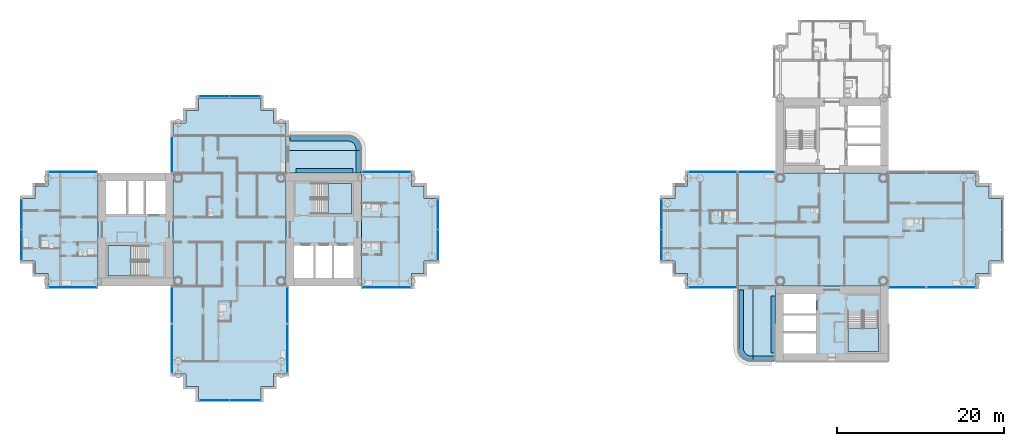
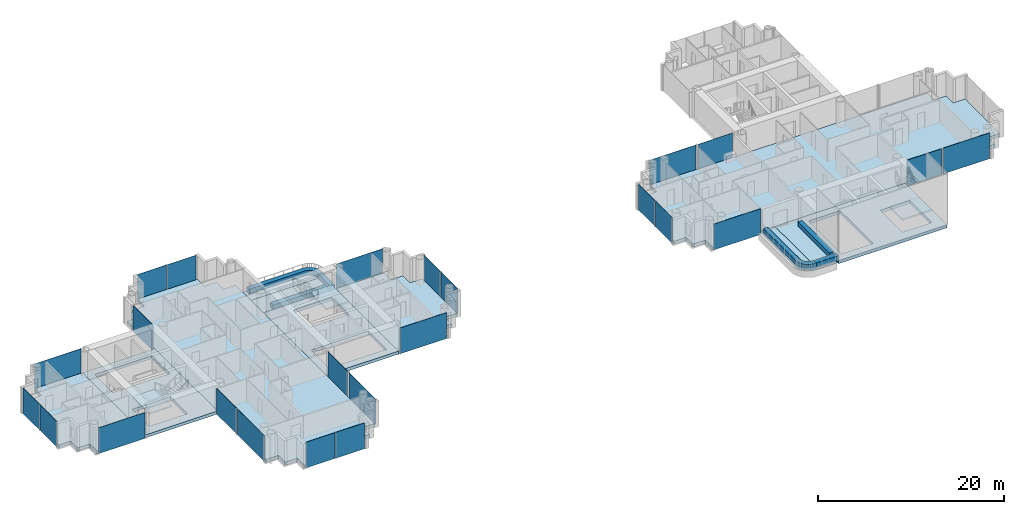
# One storey, part 7 of 22: 24 plates, 20 slabs, 22 elements without a shape of their own.
"""IFC4 building model written with IfcOpenShell, lengths in metres."""

from ifc_helpers import new_model, si_unit, direction, frame, origin, origin_2d, place, context, subcontext, project, spatial, polyline, rectangle, outline, extrude, material, layer, layer_set, type_object, element, aggregate, save


model = new_model("IFC4")

# Units and contexts
model_context = context("Model", 3, precision=1e-05, world=origin(), true_north=direction((0.0, 1.0)))
body_context = subcontext(model_context, "Body", "Model", "MODEL_VIEW")
ifc_project = project(units=[si_unit("LENGTHUNIT", "METRE"), si_unit("AREAUNIT", "SQUARE_METRE"), si_unit("VOLUMEUNIT", "CUBIC_METRE"), si_unit("PLANEANGLEUNIT", "RADIAN"), si_unit("MASSUNIT", "GRAM", prefix="KILO")], contexts=[model_context])

# Site, building, storey
site_placement = place(None, origin())
site = spatial("IfcSite", under=ifc_project, at=site_placement, CompositionType="ELEMENT")
building_placement = place(site_placement, origin())
building = spatial("IfcBuilding", under=site, at=building_placement, Name="Ipe Terrace Towers", CompositionType="ELEMENT")
storey_placement = place(building_placement, frame((0.0, 0.0, 110.60009765625)))
storey = spatial("IfcBuildingStorey", under=building, at=storey_placement, Name="L30", CompositionType="ELEMENT", Elevation=110.60009765625)

# Slabs
ifc_material_1 = material(Name="Concrete C30/37", Category="concrete")
ifc_layer_1 = layer(ifc_material_1, 0.199951171875)
ifc_layer_set_1 = layer_set([ifc_layer_1], Name="BALCONY SLAB 200")
slab_type_1 = type_object("IfcSlabType", Name="BALCONY SLAB 200", PredefinedType="FLOOR", material=ifc_layer_set_1)
slab_1_placement = place(storey_placement, frame((0.0, 0.0, -0.22021484375)))
element("IfcSlab", 1, at=slab_1_placement, inside=storey, type_object=slab_type_1, Name="balcony slab", PredefinedType="FLOOR", context=body_context, shape_type="SweptSolid", body=[
    extrude(outline(polyline([(-20.25, 6.75), (-20.25, 9.449951171875), (-29.25, 9.449951171875), (-29.25, 6.75), (-20.25, 6.75)])), origin(), (0.0, 0.0, 1.0), 0.2001953125),
])
slab_2_placement = place(storey_placement, frame((0.0, 0.0, -0.22021484375)))
element("IfcSlab", 2, at=slab_2_placement, inside=storey, type_object=slab_type_1, Name="balcony slab", PredefinedType="FLOOR", context=body_context, shape_type="SweptSolid", body=[
    extrude(outline(polyline([(-29.25, 11.25), (-29.25, 9.449951171875), (-20.25, 9.449951171875), (-20.25, 9.64990234375), (-20.263916015625, 9.85888671875), (-20.304931640625, 10.06396484375), (-20.3720703125, 10.261962890625), (-20.464111328125, 10.449951171875), (-20.5810546875, 10.6240234375), (-20.718994140625, 10.781005859375), (-20.8759765625, 10.9189453125), (-21.050048828125, 11.035888671875), (-21.238037109375, 11.1279296875), (-21.43603515625, 11.195068359375), (-21.64111328125, 11.236083984375), (-21.85009765625, 11.25), (-29.25, 11.25)])), origin(), (0.0, 0.0, 1.0), 0.2001953125),
])
slab_3_placement = place(storey_placement, frame((0.0, 0.0, -0.22021484375)))
element("IfcSlab", 3, at=slab_3_placement, inside=storey, type_object=slab_type_1, Name="balcony slab", PredefinedType="FLOOR", context=body_context, shape_type="SweptSolid", body=[
    extrude(outline(polyline([(29.25, -15.75), (29.25, -6.75), (26.550048828125, -6.75), (26.550048828125, -15.75), (29.25, -15.75)])), origin(), (0.0, 0.0, 1.0), 0.2001953125),
])
slab_4_placement = place(storey_placement, frame((0.0, 0.0, -0.22021484375)))
element("IfcSlab", 4, at=slab_4_placement, inside=storey, type_object=slab_type_1, Name="balcony slab", PredefinedType="FLOOR", context=body_context, shape_type="SweptSolid", body=[
    extrude(outline(polyline([(24.75, -6.75), (24.75, -14.14990234375), (24.763916015625, -14.35888671875), (24.804931640625, -14.56396484375), (24.8720703125, -14.761962890625), (24.964111328125, -14.949951171875), (25.0810546875, -15.1240234375), (25.218994140625, -15.281005859375), (25.3759765625, -15.4189453125), (25.550048828125, -15.535888671875), (25.738037109375, -15.6279296875), (25.93603515625, -15.695068359375), (26.14111328125, -15.736083984375), (26.35009765625, -15.75), (26.550048828125, -15.75), (26.550048828125, -6.75), (24.75, -6.75)])), origin(), (0.0, 0.0, 1.0), 0.2001953125),
])
ifc_material_2 = material(Name="Concrete C30/37", Category="concrete")
ifc_layer_2 = layer(ifc_material_2, 0.39990234375)
ifc_layer_set_2 = layer_set([ifc_layer_2], Name="CORE FLOOR SLAB 400 C30-37")
slab_type_2 = type_object("IfcSlabType", Name="CORE FLOOR SLAB 400 C30-37", PredefinedType="FLOOR", material=ifc_layer_set_2)
slab_5_placement = place(storey_placement, frame((0.0, 0.0, -0.400146484375)))
element("IfcSlab", 5, at=slab_5_placement, inside=storey, type_object=slab_type_2, Name="Core floor T1-C1", PredefinedType="FLOOR", context=body_context, shape_type="SweptSolid", body=[
    extrude(outline(polyline([(-29.25, -6.75), (-29.25, 6.75), (-20.25, 6.75), (-20.25, -6.75), (-29.25, -6.75)]), holes=[polyline([(-28.300048828125, -5.800048828125), (-21.199951171875, -5.800048828125), (-21.199951171875, -1.89990234375), (-28.300048828125, -1.89990234375), (-28.300048828125, -5.800048828125)]), polyline([(-26.199951171875, 5.550048828125), (-26.199951171875, 1.89990234375), (-21.449951171875, 1.89990234375), (-21.449951171875, 5.550048828125), (-26.199951171875, 5.550048828125)])]), origin(), (0.0, 0.0, 1.0), 0.400146484375),
])
slab_6_placement = place(storey_placement, frame((0.0, 0.0, -0.400146484375)))
element("IfcSlab", 6, at=slab_6_placement, inside=storey, type_object=slab_type_2, Name="Core floor T1-C2", PredefinedType="FLOOR", context=body_context, shape_type="SweptSolid", body=[
    extrude(outline(polyline([(-51.75, -6.75), (-51.75, 6.75), (-42.75, 6.75), (-42.75, -6.75), (-51.75, -6.75)]), holes=[polyline([(-45.800048828125, -5.550048828125), (-45.800048828125, -1.89990234375), (-50.550048828125, -1.89990234375), (-50.550048828125, -5.550048828125), (-45.800048828125, -5.550048828125)]), polyline([(-50.800048828125, 1.89990234375), (-43.699951171875, 1.89990234375), (-43.699951171875, 5.800048828125), (-50.800048828125, 5.800048828125), (-50.800048828125, 1.89990234375)])]), origin(), (0.0, 0.0, 1.0), 0.400146484375),
])
slab_7_placement = place(storey_placement, frame((0.0, 0.0, -0.400146484375)))
element("IfcSlab", 7, at=slab_7_placement, inside=storey, type_object=slab_type_2, Name="Core floor T2-C2", PredefinedType="FLOOR", context=body_context, shape_type="SweptSolid", body=[
    extrude(outline(polyline([(29.25, -15.75), (29.25, -6.75), (42.75, -6.75), (42.75, -15.75), (29.25, -15.75)]), holes=[polyline([(34.10009765625, -14.800048828125), (34.10009765625, -7.699951171875), (30.199951171875, -7.699951171875), (30.199951171875, -14.800048828125), (34.10009765625, -14.800048828125)]), polyline([(41.550048828125, -9.800048828125), (37.89990234375, -9.800048828125), (37.89990234375, -14.550048828125), (41.550048828125, -14.550048828125), (41.550048828125, -9.800048828125)])]), origin(), (0.0, 0.0, 1.0), 0.400146484375),
])

# Stair, slab
ifc_material_3 = material(Name="Concrete C30/37", Category="concrete")
stair_type = type_object("IfcStairType", Name="Protected exit stair", PredefinedType="HALF_TURN_STAIR", material=ifc_material_3)
stair_1_placement = place(storey_placement, origin())
stair_1 = element("IfcStair", 8, at=stair_1_placement, inside=storey, type_object=stair_type, Name="L30 Exit stair T1-C1", PredefinedType="HALF_TURN_STAIR")
ifc_material_4 = material(Name="Concrete C30/37", Category="concrete")
ifc_layer_3 = layer(ifc_material_4, 0.199951171875)
ifc_layer_set_3 = layer_set([ifc_layer_3], Name="Exit stair landing 200")
slab_type_3 = type_object("IfcSlabType", Name="Exit stair landing 200", PredefinedType="LANDING", material=ifc_layer_set_3)
slab_8_placement = place(storey_placement, frame((0.0, 0.0, 1.5)))
slab_8 = element("IfcSlab", 9, at=slab_8_placement, type_object=slab_type_3, Name="T1-ST1 landing 1", PredefinedType="LANDING", context=body_context, shape_type="SweptSolid", body=[
    extrude(outline(polyline([(-24.219970703125, 1.89990234375), (-21.449951171875, 1.89990234375), (-21.449951171875, 5.550048828125), (-24.219970703125, 5.550048828125), (-24.219970703125, 1.89990234375)])), origin(), (0.0, 0.0, 1.0), 0.199951171875),
])
aggregate(stair_1, [slab_8])

stair_2_placement = place(storey_placement, origin())
stair_2 = element("IfcStair", 10, at=stair_2_placement, inside=storey, type_object=stair_type, Name="L30 Exit stair T1-C2", PredefinedType="HALF_TURN_STAIR")
slab_9_placement = place(storey_placement, frame((0.0, 0.0, 1.5)))
slab_9 = element("IfcSlab", 11, at=slab_9_placement, type_object=slab_type_3, Name="T1-ST2 landing 1", PredefinedType="LANDING", context=body_context, shape_type="SweptSolid", body=[
    extrude(outline(polyline([(-47.780029296875, -1.89990234375), (-50.550048828125, -1.89990234375), (-50.550048828125, -5.550048828125), (-47.780029296875, -5.550048828125), (-47.780029296875, -1.89990234375)])), origin(), (0.0, 0.0, 1.0), 0.199951171875),
])
aggregate(stair_2, [slab_9])

stair_3_placement = place(storey_placement, origin())
stair_3 = element("IfcStair", 12, at=stair_3_placement, inside=storey, type_object=stair_type, Name="L30 Exit stair T2-C2", PredefinedType="HALF_TURN_STAIR")
slab_10_placement = place(storey_placement, frame((0.0, 0.0, 1.5)))
slab_10 = element("IfcSlab", 13, at=slab_10_placement, type_object=slab_type_3, Name="T2-ST2 landing 1", PredefinedType="LANDING", context=body_context, shape_type="SweptSolid", body=[
    extrude(outline(polyline([(37.89990234375, -11.780029296875), (37.89990234375, -14.550048828125), (41.550048828125, -14.550048828125), (41.550048828125, -11.780029296875), (37.89990234375, -11.780029296875)])), origin(), (0.0, 0.0, 1.0), 0.199951171875),
])
aggregate(stair_3, [slab_10])

# Slabs
ifc_material_5 = material(Name="Concrete C40/50", Category="concrete")
ifc_layer_4 = layer(ifc_material_5, 0.39990234375)
ifc_layer_set_4 = layer_set([ifc_layer_4], Name="FLAT PLATE SLAB 400 C40-50")
slab_type_4 = type_object("IfcSlabType", Name="FLAT PLATE SLAB 400 C40-50", PredefinedType="FLOOR", material=ifc_layer_set_4)
slab_11_placement = place(storey_placement, frame((0.0, 0.0, -0.400146484375)))
element("IfcSlab", 14, at=slab_11_placement, inside=storey, type_object=slab_type_4, Name="Slab T1-FS-Z21", PredefinedType="FLOOR", context=body_context, shape_type="SweptSolid", body=[
    extrude(outline(polyline([(-30.75, -17.25), (-30.75, -18.75), (-32.25, -18.75), (-32.25, -20.25), (-39.75, -20.25), (-39.75, -18.75), (-41.25, -18.75), (-41.25, -17.25), (-42.75, -17.25), (-42.75, -6.75), (-42.75, 6.75), (-42.75, 12.75), (-41.25, 12.75), (-41.25, 14.25), (-39.75, 14.25), (-39.75, 15.75), (-32.25, 15.75), (-32.25, 14.25), (-30.75, 14.25), (-30.75, 12.75), (-29.25, 12.75), (-29.25, 6.75), (-29.25, -6.75), (-29.25, -17.25), (-30.75, -17.25)])), origin(), (0.0, 0.0, 1.0), 0.400146484375),
])
slab_12_placement = place(storey_placement, frame((0.0, 0.0, -0.400146484375)))
element("IfcSlab", 15, at=slab_12_placement, inside=storey, type_object=slab_type_4, Name="Slab T1-FS-Z22", PredefinedType="FLOOR", context=body_context, shape_type="SweptSolid", body=[
    extrude(outline(polyline([(-57.75, -6.75), (-57.75, -5.25), (-59.25, -5.25), (-59.25, -3.75), (-60.75, -3.75), (-60.75, 3.75), (-59.25, 3.75), (-59.25, 5.25), (-57.75, 5.25), (-57.75, 6.75), (-51.75, 6.75), (-51.75, -6.75), (-57.75, -6.75)])), origin(), (0.0, 0.0, 1.0), 0.400146484375),
])
slab_13_placement = place(storey_placement, frame((0.0, 0.0, -0.400146484375)))
element("IfcSlab", 16, at=slab_13_placement, inside=storey, type_object=slab_type_4, Name="Slab T1-FS-Z23", PredefinedType="FLOOR", context=body_context, shape_type="SweptSolid", body=[
    extrude(outline(polyline([(-14.25, 5.25), (-12.75, 5.25), (-12.75, 3.75), (-11.25, 3.75), (-11.25, -3.75), (-12.75, -3.75), (-12.75, -5.25), (-14.25, -5.25), (-14.25, -6.75), (-20.25, -6.75), (-20.25, 6.75), (-14.25, 6.75), (-14.25, 5.25)])), origin(), (0.0, 0.0, 1.0), 0.400146484375),
])
slab_14_placement = place(storey_placement, frame((0.0, 0.0, -0.400146484375)))
element("IfcSlab", 17, at=slab_14_placement, inside=storey, type_object=slab_type_4, Name="Slab T2-FS-Z21", PredefinedType="FLOOR", context=body_context, shape_type="SweptSolid", body=[
    extrude(outline(polyline([(53.25, 5.25), (54.75, 5.25), (54.75, 3.75), (56.25, 3.75), (56.25, -3.75), (54.75, -3.75), (54.75, -5.25), (53.25, -5.25), (53.25, -6.75), (42.75, -6.75), (29.25, -6.75), (18.75, -6.75), (18.75, -5.25), (17.25, -5.25), (17.25, -3.75), (15.75, -3.75), (15.75, 3.75), (17.25, 3.75), (17.25, 5.25), (18.75, 5.25), (18.75, 6.75), (29.25, 6.75), (42.75, 6.75), (53.25, 6.75), (53.25, 5.25)])), origin(), (0.0, 0.0, 1.0), 0.400146484375),
])
ifc_material_6 = material(Name="Concrete C30/37", Category="concrete")
ifc_layer_5 = layer(ifc_material_6, 0.60009765625)
ifc_layer_set_5 = layer_set([ifc_layer_5], Name="PLANTER TROUGH 550 x 600")
slab_type_5 = type_object("IfcSlabType", Name="PLANTER TROUGH 550 x 600", PredefinedType="USERDEFINED", material=ifc_layer_set_5)
slab_15_placement = place(storey_placement, frame((0.0, 0.0, -0.02001953125)))
element("IfcSlab", 18, at=slab_15_placement, inside=storey, type_object=slab_type_5, Name="planter", ObjectType="PLANTER", PredefinedType="USERDEFINED", context=body_context, shape_type="SweptSolid", body=[
    extrude(outline(polyline([(-20.360107421875, 6.75), (-20.360107421875, 9.449951171875), (-20.909912109375, 9.449951171875), (-20.909912109375, 6.75), (-20.360107421875, 6.75)])), origin(), (0.0, 0.0, 1.0), 0.599853515625),
])
slab_16_placement = place(storey_placement, frame((0.0, 0.0, -0.02001953125)))
element("IfcSlab", 19, at=slab_16_placement, inside=storey, type_object=slab_type_5, Name="planter", ObjectType="PLANTER", PredefinedType="USERDEFINED", context=body_context, shape_type="SweptSolid", body=[
    extrude(outline(polyline([(-20.943115234375, 9.89306640625), (-20.9189453125, 9.77294921875), (-20.909912109375, 9.6279296875), (-20.909912109375, 9.449951171875), (-20.360107421875, 9.449951171875), (-20.360107421875, 9.636962890625), (-20.361083984375, 9.655029296875), (-20.3720703125, 9.825927734375), (-20.3759765625, 9.862060546875), (-20.406982421875, 10.01806640625), (-20.4169921875, 10.052978515625), (-20.468017578125, 10.202880859375), (-20.48193359375, 10.236083984375), (-20.552001953125, 10.37890625), (-20.570068359375, 10.409912109375), (-20.657958984375, 10.5419921875), (-20.679931640625, 10.570068359375), (-20.784912109375, 10.68994140625), (-20.81005859375, 10.715087890625), (-20.929931640625, 10.820068359375), (-20.9580078125, 10.842041015625), (-21.090087890625, 10.929931640625), (-21.12109375, 10.947998046875), (-21.263916015625, 11.01806640625), (-21.297119140625, 11.031982421875), (-21.447021484375, 11.0830078125), (-21.48193359375, 11.093017578125), (-21.637939453125, 11.1240234375), (-21.674072265625, 11.1279296875), (-21.844970703125, 11.138916015625), (-21.863037109375, 11.139892578125), (-28.800048828125, 11.139892578125), (-28.800048828125, 10.590087890625), (-21.8720703125, 10.590087890625), (-21.72705078125, 10.5810546875), (-21.60693359375, 10.556884765625), (-21.490966796875, 10.51708984375), (-21.381103515625, 10.462890625), (-21.279052734375, 10.39501953125), (-21.18603515625, 10.31396484375), (-21.10498046875, 10.220947265625), (-21.037109375, 10.118896484375), (-20.98291015625, 10.009033203125), (-20.943115234375, 9.89306640625)])), origin(), (0.0, 0.0, 1.0), 0.599853515625),
])
slab_17_placement = place(storey_placement, frame((0.0, 0.0, -0.02001953125)))
element("IfcSlab", 20, at=slab_17_placement, inside=storey, type_object=slab_type_5, Name="planter", ObjectType="PLANTER", PredefinedType="USERDEFINED", context=body_context, shape_type="SweptSolid", body=[
    extrude(outline(polyline([(-28.050048828125, 6.75), (-21.25, 6.75), (-21.25, 7.300048828125), (-28.050048828125, 7.300048828125), (-28.050048828125, 6.75)])), origin(), (0.0, 0.0, 1.0), 0.599853515625),
])
slab_18_placement = place(storey_placement, frame((0.0, 0.0, -0.02001953125)))
element("IfcSlab", 21, at=slab_18_placement, inside=storey, type_object=slab_type_5, Name="planter", ObjectType="PLANTER", PredefinedType="USERDEFINED", context=body_context, shape_type="SweptSolid", body=[
    extrude(outline(polyline([(29.25, -15.639892578125), (29.25, -15.090087890625), (26.550048828125, -15.090087890625), (26.550048828125, -15.639892578125), (29.25, -15.639892578125)])), origin(), (0.0, 0.0, 1.0), 0.599853515625),
])
slab_19_placement = place(storey_placement, frame((0.0, 0.0, -0.02001953125)))
element("IfcSlab", 22, at=slab_19_placement, inside=storey, type_object=slab_type_5, Name="planter", ObjectType="PLANTER", PredefinedType="USERDEFINED", context=body_context, shape_type="SweptSolid", body=[
    extrude(outline(polyline([(26.10693359375, -15.056884765625), (25.990966796875, -15.01708984375), (25.881103515625, -14.962890625), (25.779052734375, -14.89501953125), (25.68603515625, -14.81396484375), (25.60498046875, -14.720947265625), (25.537109375, -14.618896484375), (25.48291015625, -14.509033203125), (25.443115234375, -14.39306640625), (25.4189453125, -14.27294921875), (25.409912109375, -14.1279296875), (25.409912109375, -7.199951171875), (24.860107421875, -7.199951171875), (24.860107421875, -14.136962890625), (24.861083984375, -14.155029296875), (24.8720703125, -14.325927734375), (24.8759765625, -14.362060546875), (24.906982421875, -14.51806640625), (24.9169921875, -14.552978515625), (24.968017578125, -14.702880859375), (24.98193359375, -14.736083984375), (25.052001953125, -14.87890625), (25.070068359375, -14.909912109375), (25.157958984375, -15.0419921875), (25.179931640625, -15.070068359375), (25.284912109375, -15.18994140625), (25.31005859375, -15.215087890625), (25.429931640625, -15.320068359375), (25.4580078125, -15.342041015625), (25.590087890625, -15.429931640625), (25.62109375, -15.447998046875), (25.763916015625, -15.51806640625), (25.797119140625, -15.531982421875), (25.947021484375, -15.5830078125), (25.98193359375, -15.593017578125), (26.137939453125, -15.6240234375), (26.174072265625, -15.6279296875), (26.344970703125, -15.638916015625), (26.363037109375, -15.639892578125), (26.550048828125, -15.639892578125), (26.550048828125, -15.090087890625), (26.3720703125, -15.090087890625), (26.22705078125, -15.0810546875), (26.10693359375, -15.056884765625)])), origin(), (0.0, 0.0, 1.0), 0.599853515625),
])
slab_20_placement = place(storey_placement, frame((0.0, 0.0, -0.02001953125)))
element("IfcSlab", 23, at=slab_20_placement, inside=storey, type_object=slab_type_5, Name="planter", ObjectType="PLANTER", PredefinedType="USERDEFINED", context=body_context, shape_type="SweptSolid", body=[
    extrude(outline(polyline([(29.25, -7.949951171875), (28.699951171875, -7.949951171875), (28.699951171875, -14.75), (29.25, -14.75), (29.25, -7.949951171875)])), origin(), (0.0, 0.0, 1.0), 0.599853515625),
])

# Curtain wall, plate
ifc_material_7 = material(Name="Aluminium alloy 6063-T6", Category="aluminium")
ifc_layer_6 = layer(ifc_material_7, 0.320068359375)
ifc_layer_set_6 = layer_set([ifc_layer_6], Name="TOWER UNITISED CURTAIN WALL")
curtain_wall_type = type_object("IfcCurtainWallType", Name="TOWER UNITISED CURTAIN WALL", PredefinedType="NOTDEFINED", material=ifc_layer_set_6)
curtain_wall_1_placement = place(storey_placement, origin())
curtain_wall_1 = element("IfcCurtainWall", 24, at=curtain_wall_1_placement, inside=storey, type_object=curtain_wall_type, Name="T1-CW-L30-04a curtain wall", PredefinedType="NOTDEFINED")
ifc_material_8 = material(Name="Glass, clear laminated", Category="glass")
ifc_layer_7 = layer(ifc_material_8, 0.031982421875)
ifc_layer_set_7 = layer_set([ifc_layer_7], Name="TOWER UNITISED GLASS PANEL 32")
plate_type = type_object("IfcPlateType", Name="TOWER UNITISED GLASS PANEL 32", PredefinedType="CURTAIN_PANEL", material=ifc_layer_set_7)
plate_1_placement = place(storey_placement, frame((-54.75048828125, -6.909912109375, -0.300048828125), z_axis=(0.0, 0.0, 1.0), x_axis=(1.0, 0.0, 0.0)))
plate_1 = element("IfcPlate", 25, at=plate_1_placement, type_object=plate_type, Name="T1-CW-L30-04a panel 1", PredefinedType="CURTAIN_PANEL", context=body_context, shape_type="SweptSolid", body=[
    extrude(rectangle(XDim=5.759033203125, YDim=0.031982421875, at=origin_2d()), origin(), (0.0, 0.0, 1.0), 3.39990234375),
])
aggregate(curtain_wall_1, [plate_1])

curtain_wall_2_placement = place(storey_placement, origin())
curtain_wall_2 = element("IfcCurtainWall", 26, at=curtain_wall_2_placement, inside=storey, type_object=curtain_wall_type, Name="T1-CW-L30-06a curtain wall", PredefinedType="NOTDEFINED")
plate_2_placement = place(storey_placement, frame((-42.909912109375, -9.0, -0.300048828125), z_axis=(0.0, 0.0, 1.0), x_axis=(0.0, -1.0, 0.0)))
plate_2 = element("IfcPlate", 27, at=plate_2_placement, type_object=plate_type, Name="T1-CW-L30-06a panel 1", PredefinedType="CURTAIN_PANEL", context=body_context, shape_type="SweptSolid", body=[
    extrude(rectangle(XDim=4.260009765625, YDim=0.031982421875, at=origin_2d()), origin(), (0.0, 0.0, 1.0), 3.39990234375),
])
aggregate(curtain_wall_2, [plate_2])

curtain_wall_3_placement = place(storey_placement, origin())
curtain_wall_3 = element("IfcCurtainWall", 28, at=curtain_wall_3_placement, inside=storey, type_object=curtain_wall_type, Name="T1-CW-L30-07a curtain wall", PredefinedType="NOTDEFINED")
plate_3_placement = place(storey_placement, frame((-42.909912109375, -14.25, -0.300048828125), z_axis=(0.0, 0.0, 1.0), x_axis=(0.0, -1.0, 0.0)))
plate_3 = element("IfcPlate", 29, at=plate_3_placement, type_object=plate_type, Name="T1-CW-L30-07a panel 1", PredefinedType="CURTAIN_PANEL", context=body_context, shape_type="SweptSolid", body=[
    extrude(rectangle(XDim=5.760009765625, YDim=0.031982421875, at=origin_2d()), origin(), (0.0, 0.0, 1.0), 3.39990234375),
])
aggregate(curtain_wall_3, [plate_3])

# Curtain wall, plates
curtain_wall_4_placement = place(storey_placement, origin())
curtain_wall_4 = element("IfcCurtainWall", 30, at=curtain_wall_4_placement, inside=storey, type_object=curtain_wall_type, Name="T1-CW-L30-12a curtain wall", PredefinedType="NOTDEFINED")
plate_4_placement = place(storey_placement, frame((-37.831298828125, -20.409912109375, -0.300048828125), z_axis=(0.0, 0.0, 1.0), x_axis=(1.0, 0.0, 0.0)))
plate_4 = element("IfcPlate", 31, at=plate_4_placement, type_object=plate_type, Name="T1-CW-L30-12a panel 1", PredefinedType="CURTAIN_PANEL", context=body_context, shape_type="SweptSolid", body=[
    extrude(rectangle(XDim=3.597412109375, YDim=0.031982421875, at=origin_2d()), origin(), (0.0, 0.0, 1.0), 3.39990234375),
])
plate_5_placement = place(storey_placement, frame((-34.168701171875, -20.409912109375, -0.300048828125), z_axis=(0.0, 0.0, 1.0), x_axis=(1.0, 0.0, 0.0)))
plate_5 = element("IfcPlate", 32, at=plate_5_placement, type_object=plate_type, Name="T1-CW-L30-12a panel 2", PredefinedType="CURTAIN_PANEL", context=body_context, shape_type="SweptSolid", body=[
    extrude(rectangle(XDim=3.597412109375, YDim=0.031982421875, at=origin_2d()), origin(), (0.0, 0.0, 1.0), 3.39990234375),
])
aggregate(curtain_wall_4, [plate_4, plate_5])

# Curtain wall, plate
curtain_wall_5_placement = place(storey_placement, origin())
curtain_wall_5 = element("IfcCurtainWall", 33, at=curtain_wall_5_placement, inside=storey, type_object=curtain_wall_type, Name="T1-CW-L30-17a curtain wall", PredefinedType="NOTDEFINED")
plate_6_placement = place(storey_placement, frame((-29.090087890625, -14.25, -0.300048828125), z_axis=(0.0, 0.0, 1.0), x_axis=(0.0, 1.0, 0.0)))
plate_6 = element("IfcPlate", 34, at=plate_6_placement, type_object=plate_type, Name="T1-CW-L30-17a panel 1", PredefinedType="CURTAIN_PANEL", context=body_context, shape_type="SweptSolid", body=[
    extrude(rectangle(XDim=5.760009765625, YDim=0.031982421875, at=origin_2d()), origin(), (0.0, 0.0, 1.0), 3.39990234375),
])
aggregate(curtain_wall_5, [plate_6])

curtain_wall_6_placement = place(storey_placement, origin())
curtain_wall_6 = element("IfcCurtainWall", 35, at=curtain_wall_6_placement, inside=storey, type_object=curtain_wall_type, Name="T1-CW-L30-18a curtain wall", PredefinedType="NOTDEFINED")
plate_7_placement = place(storey_placement, frame((-29.090087890625, -9.0, -0.300048828125), z_axis=(0.0, 0.0, 1.0), x_axis=(0.0, 1.0, 0.0)))
plate_7 = element("IfcPlate", 36, at=plate_7_placement, type_object=plate_type, Name="T1-CW-L30-18a panel 1", PredefinedType="CURTAIN_PANEL", context=body_context, shape_type="SweptSolid", body=[
    extrude(rectangle(XDim=4.260009765625, YDim=0.031982421875, at=origin_2d()), origin(), (0.0, 0.0, 1.0), 3.39990234375),
])
aggregate(curtain_wall_6, [plate_7])

curtain_wall_7_placement = place(storey_placement, origin())
curtain_wall_7 = element("IfcCurtainWall", 37, at=curtain_wall_7_placement, inside=storey, type_object=curtain_wall_type, Name="T1-CW-L30-20b curtain wall", PredefinedType="NOTDEFINED")
plate_8_placement = place(storey_placement, frame((-17.24951171875, -6.909912109375, -0.300048828125), z_axis=(0.0, 0.0, 1.0), x_axis=(1.0, 0.0, 0.0)))
plate_8 = element("IfcPlate", 38, at=plate_8_placement, type_object=plate_type, Name="T1-CW-L30-20b panel 1", PredefinedType="CURTAIN_PANEL", context=body_context, shape_type="SweptSolid", body=[
    extrude(rectangle(XDim=5.759033203125, YDim=0.031982421875, at=origin_2d()), origin(), (0.0, 0.0, 1.0), 3.39990234375),
])
aggregate(curtain_wall_7, [plate_8])

# Curtain wall, plates
curtain_wall_8_placement = place(storey_placement, origin())
curtain_wall_8 = element("IfcCurtainWall", 39, at=curtain_wall_8_placement, inside=storey, type_object=curtain_wall_type, Name="T1-CW-L30-25a curtain wall", PredefinedType="NOTDEFINED")
plate_9_placement = place(storey_placement, frame((-11.090087890625, -1.831298828125, -0.300048828125), z_axis=(0.0, 0.0, 1.0), x_axis=(0.0, 1.0, 0.0)))
plate_9 = element("IfcPlate", 40, at=plate_9_placement, type_object=plate_type, Name="T1-CW-L30-25a panel 1", PredefinedType="CURTAIN_PANEL", context=body_context, shape_type="SweptSolid", body=[
    extrude(rectangle(XDim=3.597412109375, YDim=0.031982421875, at=origin_2d()), origin(), (0.0, 0.0, 1.0), 3.39990234375),
])
plate_10_placement = place(storey_placement, frame((-11.090087890625, 1.831298828125, -0.300048828125), z_axis=(0.0, 0.0, 1.0), x_axis=(0.0, 1.0, 0.0)))
plate_10 = element("IfcPlate", 41, at=plate_10_placement, type_object=plate_type, Name="T1-CW-L30-25a panel 2", PredefinedType="CURTAIN_PANEL", context=body_context, shape_type="SweptSolid", body=[
    extrude(rectangle(XDim=3.597412109375, YDim=0.031982421875, at=origin_2d()), origin(), (0.0, 0.0, 1.0), 3.39990234375),
])
aggregate(curtain_wall_8, [plate_9, plate_10])

# Curtain wall, plate
curtain_wall_9_placement = place(storey_placement, origin())
curtain_wall_9 = element("IfcCurtainWall", 42, at=curtain_wall_9_placement, inside=storey, type_object=curtain_wall_type, Name="T1-CW-L30-30a curtain wall", PredefinedType="NOTDEFINED")
plate_11_placement = place(storey_placement, frame((-17.24951171875, 6.909912109375, -0.300048828125), z_axis=(0.0, 0.0, 1.0), x_axis=(-1.0, 0.0, 0.0)))
plate_11 = element("IfcPlate", 43, at=plate_11_placement, type_object=plate_type, Name="T1-CW-L30-30a panel 1", PredefinedType="CURTAIN_PANEL", context=body_context, shape_type="SweptSolid", body=[
    extrude(rectangle(XDim=5.759033203125, YDim=0.031982421875, at=origin_2d()), origin(), (0.0, 0.0, 1.0), 3.39990234375),
])
aggregate(curtain_wall_9, [plate_11])

# Curtain wall, plates
curtain_wall_10_placement = place(storey_placement, origin())
curtain_wall_10 = element("IfcCurtainWall", 44, at=curtain_wall_10_placement, inside=storey, type_object=curtain_wall_type, Name="T1-CW-L30-38a curtain wall", PredefinedType="NOTDEFINED")
plate_12_placement = place(storey_placement, frame((-34.168701171875, 15.909912109375, -0.300048828125), z_axis=(0.0, 0.0, 1.0), x_axis=(-1.0, 0.0, 0.0)))
plate_12 = element("IfcPlate", 45, at=plate_12_placement, type_object=plate_type, Name="T1-CW-L30-38a panel 1", PredefinedType="CURTAIN_PANEL", context=body_context, shape_type="SweptSolid", body=[
    extrude(rectangle(XDim=3.597412109375, YDim=0.031982421875, at=origin_2d()), origin(), (0.0, 0.0, 1.0), 3.39990234375),
])
plate_13_placement = place(storey_placement, frame((-37.831298828125, 15.909912109375, -0.300048828125), z_axis=(0.0, 0.0, 1.0), x_axis=(-1.0, 0.0, 0.0)))
plate_13 = element("IfcPlate", 46, at=plate_13_placement, type_object=plate_type, Name="T1-CW-L30-38a panel 2", PredefinedType="CURTAIN_PANEL", context=body_context, shape_type="SweptSolid", body=[
    extrude(rectangle(XDim=3.597412109375, YDim=0.031982421875, at=origin_2d()), origin(), (0.0, 0.0, 1.0), 3.39990234375),
])
aggregate(curtain_wall_10, [plate_12, plate_13])

# Curtain wall, plate
curtain_wall_11_placement = place(storey_placement, origin())
curtain_wall_11 = element("IfcCurtainWall", 47, at=curtain_wall_11_placement, inside=storey, type_object=curtain_wall_type, Name="T1-CW-L30-44a curtain wall", PredefinedType="NOTDEFINED")
plate_14_placement = place(storey_placement, frame((-42.909912109375, 9.0, -0.300048828125), z_axis=(0.0, 0.0, 1.0), x_axis=(0.0, -1.0, 0.0)))
plate_14 = element("IfcPlate", 48, at=plate_14_placement, type_object=plate_type, Name="T1-CW-L30-44a panel 1", PredefinedType="CURTAIN_PANEL", context=body_context, shape_type="SweptSolid", body=[
    extrude(rectangle(XDim=4.260009765625, YDim=0.031982421875, at=origin_2d()), origin(), (0.0, 0.0, 1.0), 3.39990234375),
])
aggregate(curtain_wall_11, [plate_14])

curtain_wall_12_placement = place(storey_placement, origin())
curtain_wall_12 = element("IfcCurtainWall", 49, at=curtain_wall_12_placement, inside=storey, type_object=curtain_wall_type, Name="T1-CW-L30-46b curtain wall", PredefinedType="NOTDEFINED")
plate_15_placement = place(storey_placement, frame((-54.75048828125, 6.909912109375, -0.300048828125), z_axis=(0.0, 0.0, 1.0), x_axis=(-1.0, 0.0, 0.0)))
plate_15 = element("IfcPlate", 50, at=plate_15_placement, type_object=plate_type, Name="T1-CW-L30-46b panel 1", PredefinedType="CURTAIN_PANEL", context=body_context, shape_type="SweptSolid", body=[
    extrude(rectangle(XDim=5.759033203125, YDim=0.031982421875, at=origin_2d()), origin(), (0.0, 0.0, 1.0), 3.39990234375),
])
aggregate(curtain_wall_12, [plate_15])

# Curtain wall, plates
curtain_wall_13_placement = place(storey_placement, origin())
curtain_wall_13 = element("IfcCurtainWall", 51, at=curtain_wall_13_placement, inside=storey, type_object=curtain_wall_type, Name="T1-CW-L30-51a curtain wall", PredefinedType="NOTDEFINED")
plate_16_placement = place(storey_placement, frame((-60.909912109375, 1.831298828125, -0.300048828125), z_axis=(0.0, 0.0, 1.0), x_axis=(0.0, -1.0, 0.0)))
plate_16 = element("IfcPlate", 52, at=plate_16_placement, type_object=plate_type, Name="T1-CW-L30-51a panel 1", PredefinedType="CURTAIN_PANEL", context=body_context, shape_type="SweptSolid", body=[
    extrude(rectangle(XDim=3.597412109375, YDim=0.031982421875, at=origin_2d()), origin(), (0.0, 0.0, 1.0), 3.39990234375),
])
plate_17_placement = place(storey_placement, frame((-60.909912109375, -1.831298828125, -0.300048828125), z_axis=(0.0, 0.0, 1.0), x_axis=(0.0, -1.0, 0.0)))
plate_17 = element("IfcPlate", 53, at=plate_17_placement, type_object=plate_type, Name="T1-CW-L30-51a panel 2", PredefinedType="CURTAIN_PANEL", context=body_context, shape_type="SweptSolid", body=[
    extrude(rectangle(XDim=3.597412109375, YDim=0.031982421875, at=origin_2d()), origin(), (0.0, 0.0, 1.0), 3.39990234375),
])
aggregate(curtain_wall_13, [plate_16, plate_17])

# Curtain wall, plate
curtain_wall_14_placement = place(storey_placement, origin())
curtain_wall_14 = element("IfcCurtainWall", 54, at=curtain_wall_14_placement, inside=storey, type_object=curtain_wall_type, Name="T2-CW-L30-02a curtain wall", PredefinedType="NOTDEFINED")
plate_18_placement = place(storey_placement, frame((45.0, -6.909912109375, -0.300048828125), z_axis=(0.0, 0.0, 1.0), x_axis=(1.0, 0.0, 0.0)))
plate_18 = element("IfcPlate", 55, at=plate_18_placement, type_object=plate_type, Name="T2-CW-L30-02a panel 1", PredefinedType="CURTAIN_PANEL", context=body_context, shape_type="SweptSolid", body=[
    extrude(rectangle(XDim=4.260009765625, YDim=0.031982421875, at=origin_2d()), origin(), (0.0, 0.0, 1.0), 3.39990234375),
])
aggregate(curtain_wall_14, [plate_18])

curtain_wall_15_placement = place(storey_placement, origin())
curtain_wall_15 = element("IfcCurtainWall", 56, at=curtain_wall_15_placement, inside=storey, type_object=curtain_wall_type, Name="T2-CW-L30-03a curtain wall", PredefinedType="NOTDEFINED")
plate_19_placement = place(storey_placement, frame((50.25, -6.909912109375, -0.300048828125), z_axis=(0.0, 0.0, 1.0), x_axis=(1.0, 0.0, 0.0)))
plate_19 = element("IfcPlate", 57, at=plate_19_placement, type_object=plate_type, Name="T2-CW-L30-03a panel 1", PredefinedType="CURTAIN_PANEL", context=body_context, shape_type="SweptSolid", body=[
    extrude(rectangle(XDim=5.760009765625, YDim=0.031982421875, at=origin_2d()), origin(), (0.0, 0.0, 1.0), 3.39990234375),
])
aggregate(curtain_wall_15, [plate_19])

curtain_wall_16_placement = place(storey_placement, origin())
curtain_wall_16 = element("IfcCurtainWall", 58, at=curtain_wall_16_placement, inside=storey, type_object=curtain_wall_type, Name="T2-CW-L30-28a curtain wall", PredefinedType="NOTDEFINED")
plate_20_placement = place(storey_placement, frame((27.0, 6.909912109375, -0.300048828125), z_axis=(0.0, 0.0, 1.0), x_axis=(-1.0, 0.0, 0.0)))
plate_20 = element("IfcPlate", 59, at=plate_20_placement, type_object=plate_type, Name="T2-CW-L30-28a panel 1", PredefinedType="CURTAIN_PANEL", context=body_context, shape_type="SweptSolid", body=[
    extrude(rectangle(XDim=4.260009765625, YDim=0.031982421875, at=origin_2d()), origin(), (0.0, 0.0, 1.0), 3.39990234375),
])
aggregate(curtain_wall_16, [plate_20])

curtain_wall_17_placement = place(storey_placement, origin())
curtain_wall_17 = element("IfcCurtainWall", 60, at=curtain_wall_17_placement, inside=storey, type_object=curtain_wall_type, Name="T2-CW-L30-29a curtain wall", PredefinedType="NOTDEFINED")
plate_21_placement = place(storey_placement, frame((21.75, 6.909912109375, -0.300048828125), z_axis=(0.0, 0.0, 1.0), x_axis=(-1.0, 0.0, 0.0)))
plate_21 = element("IfcPlate", 61, at=plate_21_placement, type_object=plate_type, Name="T2-CW-L30-29a panel 1", PredefinedType="CURTAIN_PANEL", context=body_context, shape_type="SweptSolid", body=[
    extrude(rectangle(XDim=5.760009765625, YDim=0.031982421875, at=origin_2d()), origin(), (0.0, 0.0, 1.0), 3.39990234375),
])
aggregate(curtain_wall_17, [plate_21])

# Curtain wall, plates
curtain_wall_18_placement = place(storey_placement, origin())
curtain_wall_18 = element("IfcCurtainWall", 62, at=curtain_wall_18_placement, inside=storey, type_object=curtain_wall_type, Name="T2-CW-L30-34a curtain wall", PredefinedType="NOTDEFINED")
plate_22_placement = place(storey_placement, frame((15.590087890625, 1.831298828125, -0.300048828125), z_axis=(0.0, 0.0, 1.0), x_axis=(0.0, -1.0, 0.0)))
plate_22 = element("IfcPlate", 63, at=plate_22_placement, type_object=plate_type, Name="T2-CW-L30-34a panel 1", PredefinedType="CURTAIN_PANEL", context=body_context, shape_type="SweptSolid", body=[
    extrude(rectangle(XDim=3.597412109375, YDim=0.031982421875, at=origin_2d()), origin(), (0.0, 0.0, 1.0), 3.39990234375),
])
plate_23_placement = place(storey_placement, frame((15.590087890625, -1.831298828125, -0.300048828125), z_axis=(0.0, 0.0, 1.0), x_axis=(0.0, -1.0, 0.0)))
plate_23 = element("IfcPlate", 64, at=plate_23_placement, type_object=plate_type, Name="T2-CW-L30-34a panel 2", PredefinedType="CURTAIN_PANEL", context=body_context, shape_type="SweptSolid", body=[
    extrude(rectangle(XDim=3.597412109375, YDim=0.031982421875, at=origin_2d()), origin(), (0.0, 0.0, 1.0), 3.39990234375),
])
aggregate(curtain_wall_18, [plate_22, plate_23])

# Curtain wall, plate
curtain_wall_19_placement = place(storey_placement, origin())
curtain_wall_19 = element("IfcCurtainWall", 65, at=curtain_wall_19_placement, inside=storey, type_object=curtain_wall_type, Name="T2-CW-L30-39a curtain wall", PredefinedType="NOTDEFINED")
plate_24_placement = place(storey_placement, frame((21.75, -6.909912109375, -0.300048828125), z_axis=(0.0, 0.0, 1.0), x_axis=(1.0, 0.0, 0.0)))
plate_24 = element("IfcPlate", 66, at=plate_24_placement, type_object=plate_type, Name="T2-CW-L30-39a panel 1", PredefinedType="CURTAIN_PANEL", context=body_context, shape_type="SweptSolid", body=[
    extrude(rectangle(XDim=5.760009765625, YDim=0.031982421875, at=origin_2d()), origin(), (0.0, 0.0, 1.0), 3.39990234375),
])
aggregate(curtain_wall_19, [plate_24])

save(model, "model.ifc")
